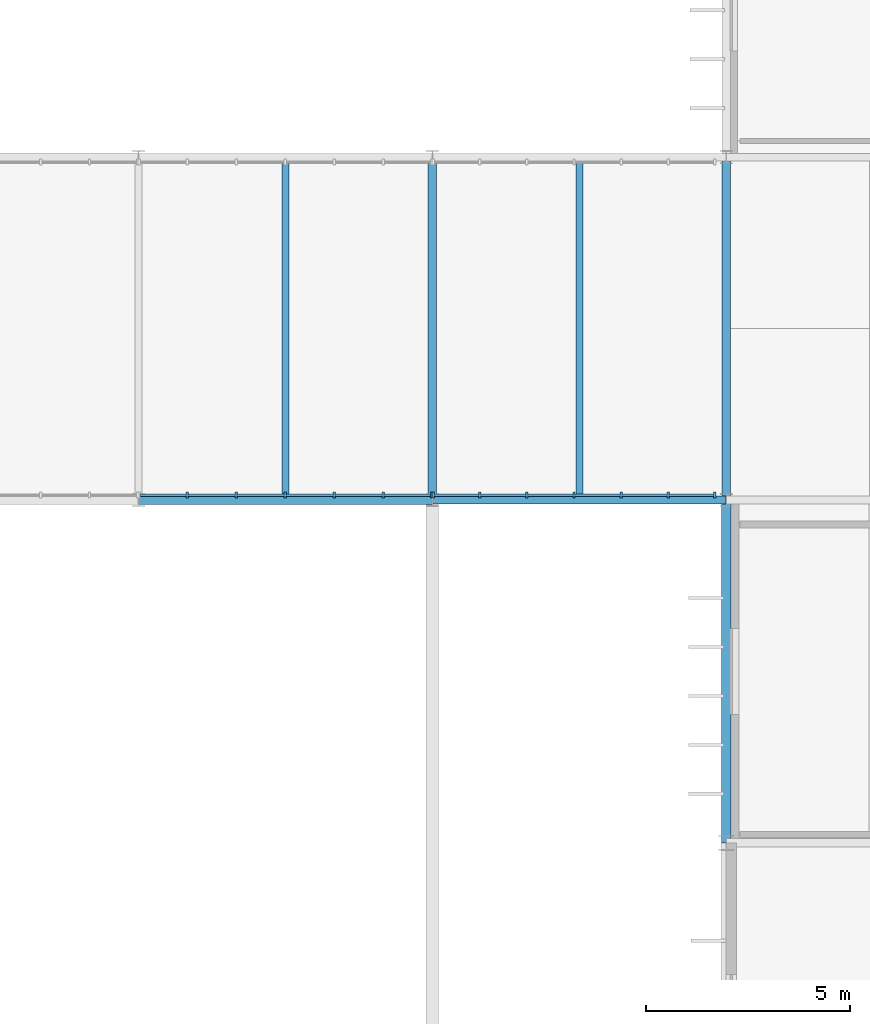
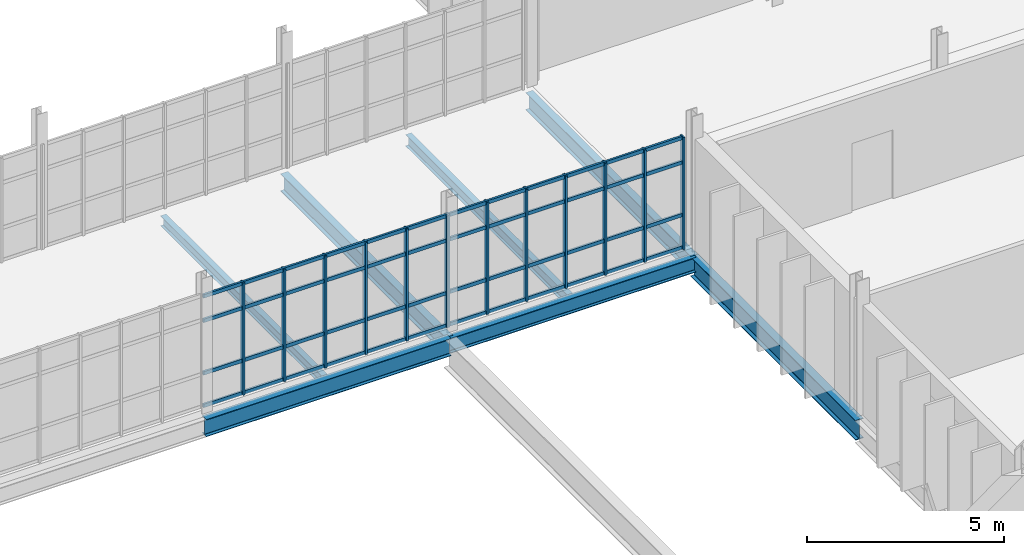
# One storey, part 39 of 119: 21 members, 7 beams, 2 elements without a shape of their own.
"""IFC4 building model written with IfcOpenShell, lengths in metres."""

from ifc_helpers import new_model, si_unit, direction, frame, origin, origin_2d, place, context, subcontext, project, spatial, rectangle, i_section, extrude, material, material_profile, profile_set, type_object, element, aggregate, save


model = new_model("IFC4")

# Units and contexts
model_context = context("Model", 3, precision=1e-05, world=origin(), true_north=direction((0.0, 1.0)))
body_context = subcontext(model_context, "Body", "Model", "MODEL_VIEW")
ifc_project = project(units=[si_unit("LENGTHUNIT", "METRE"), si_unit("AREAUNIT", "SQUARE_METRE"), si_unit("VOLUMEUNIT", "CUBIC_METRE"), si_unit("PLANEANGLEUNIT", "RADIAN"), si_unit("MASSUNIT", "GRAM", prefix="KILO")], contexts=[model_context])

# Site, building, storey
site_placement = place(None, origin())
site = spatial("IfcSite", under=ifc_project, at=site_placement, CompositionType="ELEMENT")
building_placement = place(site_placement, origin())
building = spatial("IfcBuilding", under=site, at=building_placement, Name="Qelthora Terrace Specialist Clinic", CompositionType="ELEMENT")
storey_placement = place(building_placement, frame((0.0, 0.0, 4.800048828125)))
storey = spatial("IfcBuildingStorey", under=building, at=storey_placement, Name="L01", CompositionType="ELEMENT", Elevation=4.800048828125)

# Beams
ifc_material_1 = material(Name="Steel S355", Category="steel")
ifc_material_profile_1 = material_profile(ifc_material_1, i_section(OverallWidth=0.193115234375, OverallDepth=0.466064453125, WebThickness=0.011474609375, FlangeThickness=0.01904296875, FilletRadius=0.012939453125, at=origin_2d()), Name="W460X97")
ifc_profile_set_1 = profile_set([ifc_material_profile_1], Name="Steel S355")
beam_type_1 = type_object("IfcBeamType", Name="BM-W460X97", PredefinedType="BEAM", material=ifc_profile_set_1)
beam_1_placement = place(storey_placement, frame((86.39990234375, 58.800048828125, -0.483154296875), z_axis=(1.0, 0.0, 0.0), x_axis=(0.0, 1.0, 0.0)))
element("IfcBeam", 1, at=beam_1_placement, inside=storey, type_object=beam_type_1, Name="Girder BMX-L01-0245", PredefinedType="BEAM", context=body_context, shape_type="SweptSolid", body=[
    extrude(i_section(OverallWidth=0.193115234375, OverallDepth=0.466064453125, WebThickness=0.011474609375, FlangeThickness=0.01904296875, FilletRadius=0.012939453125, at=origin_2d()), origin(), (0.0, 0.0, 1.0), 7.2001953125),
])
ifc_material_profile_2 = material_profile(ifc_material_1, i_section(OverallWidth=0.2099609375, OverallDepth=0.537109375, WebThickness=0.010986328125, FlangeThickness=0.017333984375, FilletRadius=0.013916015625, at=origin_2d()), Name="W530X101")
ifc_profile_set_2 = profile_set([ifc_material_profile_2], Name="Steel S355")
beam_type_2 = type_object("IfcBeamType", Name="BM-W530X101", PredefinedType="BEAM", material=ifc_profile_set_2)
beam_2_placement = place(storey_placement, frame((79.199951171875, 58.800048828125, -0.5185546875), z_axis=(1.0, 0.0, 0.0), x_axis=(0.0, 1.0, 0.0)))
element("IfcBeam", 2, at=beam_2_placement, inside=storey, type_object=beam_type_2, Name="Girder BMX-L01-0244", PredefinedType="BEAM", context=body_context, shape_type="SweptSolid", body=[
    extrude(i_section(OverallWidth=0.2099609375, OverallDepth=0.537109375, WebThickness=0.010986328125, FlangeThickness=0.017333984375, FilletRadius=0.013916015625, at=origin_2d()), origin(), (0.0, 0.0, 1.0), 7.199951171875),
])
ifc_material_profile_3 = material_profile(ifc_material_1, i_section(OverallWidth=0.2119140625, OverallDepth=0.5439453125, WebThickness=0.01318359375, FlangeThickness=0.021240234375, FilletRadius=0.013916015625, at=origin_2d()), Name="W530X123")
ifc_profile_set_3 = profile_set([ifc_material_profile_3], Name="Steel S355")
beam_type_3 = type_object("IfcBeamType", Name="BM-W530X123", PredefinedType="BEAM", material=ifc_profile_set_3)
for number, where, z_axis, x_axis, name in (
    (3, (86.39990234375, 58.800048828125, -0.52197265625), (0.0, 1.0, 0.0), (-1.0, 0.0, 0.0), "Girder BMY-L01-0445"),
    (4, (93.60009765625, 58.800048828125, -0.52197265625), (0.0, 1.0, 0.0), (-1.0, 0.0, 0.0), "Girder BMY-L01-0455"),
):
    element("IfcBeam", number, at=place(storey_placement, frame(where, z_axis=z_axis, x_axis=x_axis)), inside=storey, type_object=beam_type_3, Name=name, PredefinedType="BEAM", context=body_context, shape_type="SweptSolid", body=[
        extrude(i_section(OverallWidth=0.2119140625, OverallDepth=0.5439453125, WebThickness=0.01318359375, FlangeThickness=0.021240234375, FilletRadius=0.013916015625, at=origin_2d()), origin(), (0.0, 0.0, 1.0), 8.39990234375),
    ])
ifc_material_profile_4 = material_profile(ifc_material_1, i_section(OverallWidth=0.22998046875, OverallDepth=0.616943359375, WebThickness=0.01318359375, FlangeThickness=0.022216796875, FilletRadius=0.01611328125, at=origin_2d()), Name="W610X140")
ifc_profile_set_4 = profile_set([ifc_material_profile_4], Name="Steel S355")
beam_type_4 = type_object("IfcBeamType", Name="BM-W610X140", PredefinedType="BEAM", material=ifc_profile_set_4)
beam_3_placement = place(storey_placement, frame((93.60009765625, 50.39990234375, -0.55859375), z_axis=(0.0, 1.0, 0.0), x_axis=(-1.0, 0.0, 0.0)))
element("IfcBeam", 5, at=beam_3_placement, inside=storey, type_object=beam_type_4, Name="Girder BMY-L01-0454", PredefinedType="BEAM", context=body_context, shape_type="SweptSolid", body=[
    extrude(i_section(OverallWidth=0.22998046875, OverallDepth=0.616943359375, WebThickness=0.01318359375, FlangeThickness=0.022216796875, FilletRadius=0.01611328125, at=origin_2d()), origin(), (0.0, 0.0, 1.0), 8.400146484375),
])

# Curtain wall, members
ifc_material_2 = material(Name="Aluminium anodized bronze", Category="aluminium")
curtain_wall_type = type_object("IfcCurtainWallType", Name="CW-BRG-L01", PredefinedType="NOTDEFINED", material=ifc_material_2)
curtain_wall_1_placement = place(storey_placement, origin())
curtain_wall_1 = element("IfcCurtainWall", 6, at=curtain_wall_1_placement, inside=storey, type_object=curtain_wall_type, Name="Curtain wall CW-L01-232", PredefinedType="NOTDEFINED")
ifc_material_profile_5 = material_profile(ifc_material_2, rectangle(XDim=0.06005859375, YDim=0.14990234375, at=origin_2d()), Name="CWM60X150")
ifc_profile_set_5 = profile_set([ifc_material_profile_5], Name="Aluminium anodized bronze")
member_type_1 = type_object("IfcMemberType", Name="CWM-60X150", PredefinedType="MULLION", material=ifc_profile_set_5)
member_1_placement = place(storey_placement, frame((80.39990234375, 58.919921875, 0.0), z_axis=(0.0, 0.0, 1.0), x_axis=(1.0, 0.0, 0.0)))
member_1 = element("IfcMember", 7, at=member_1_placement, type_object=member_type_1, Name="CW-L01-232 mullion 2", PredefinedType="MULLION", context=body_context, shape_type="SweptSolid", body=[
    extrude(rectangle(XDim=0.06005859375, YDim=0.14990234375, at=origin_2d()), origin(), (0.0, 0.0, 1.0), 3.48193359375),
])
member_2_placement = place(storey_placement, frame((81.60009765625, 58.919921875, 0.0), z_axis=(0.0, 0.0, 1.0), x_axis=(1.0, 0.0, 0.0)))
member_2 = element("IfcMember", 8, at=member_2_placement, type_object=member_type_1, Name="CW-L01-232 mullion 3", PredefinedType="MULLION", context=body_context, shape_type="SweptSolid", body=[
    extrude(rectangle(XDim=0.06005859375, YDim=0.14990234375, at=origin_2d()), origin(), (0.0, 0.0, 1.0), 3.48193359375),
])
member_3_placement = place(storey_placement, frame((82.800048828125, 58.919921875, 0.0), z_axis=(0.0, 0.0, 1.0), x_axis=(1.0, 0.0, 0.0)))
member_3 = element("IfcMember", 9, at=member_3_placement, type_object=member_type_1, Name="CW-L01-232 mullion 4", PredefinedType="MULLION", context=body_context, shape_type="SweptSolid", body=[
    extrude(rectangle(XDim=0.06005859375, YDim=0.14990234375, at=origin_2d()), origin(), (0.0, 0.0, 1.0), 3.48193359375),
])
member_4_placement = place(storey_placement, frame((84.0, 58.919921875, 0.0), z_axis=(0.0, 0.0, 1.0), x_axis=(1.0, 0.0, 0.0)))
member_4 = element("IfcMember", 10, at=member_4_placement, type_object=member_type_1, Name="CW-L01-232 mullion 5", PredefinedType="MULLION", context=body_context, shape_type="SweptSolid", body=[
    extrude(rectangle(XDim=0.06005859375, YDim=0.14990234375, at=origin_2d()), origin(), (0.0, 0.0, 1.0), 3.48193359375),
])
member_5_placement = place(storey_placement, frame((85.199951171875, 58.919921875, 0.0), z_axis=(0.0, 0.0, 1.0), x_axis=(1.0, 0.0, 0.0)))
member_5 = element("IfcMember", 11, at=member_5_placement, type_object=member_type_1, Name="CW-L01-232 mullion 6", PredefinedType="MULLION", context=body_context, shape_type="SweptSolid", body=[
    extrude(rectangle(XDim=0.06005859375, YDim=0.14990234375, at=origin_2d()), origin(), (0.0, 0.0, 1.0), 3.48193359375),
])
member_6_placement = place(storey_placement, frame((86.3798828125, 58.919921875, 0.0), z_axis=(0.0, 0.0, 1.0), x_axis=(1.0, 0.0, 0.0)))
member_6 = element("IfcMember", 12, at=member_6_placement, type_object=member_type_1, Name="CW-L01-232 mullion 7", PredefinedType="MULLION", context=body_context, shape_type="SweptSolid", body=[
    extrude(rectangle(XDim=0.06005859375, YDim=0.14990234375, at=origin_2d()), origin(), (0.0, 0.0, 1.0), 3.48193359375),
])

curtain_wall_2_placement = place(storey_placement, origin())
curtain_wall_2 = element("IfcCurtainWall", 13, at=curtain_wall_2_placement, inside=storey, type_object=curtain_wall_type, Name="Curtain wall CW-L01-233", PredefinedType="NOTDEFINED")
member_7_placement = place(storey_placement, frame((86.419921875, 58.919921875, 0.0), z_axis=(0.0, 0.0, 1.0), x_axis=(1.0, 0.0, 0.0)))
member_7 = element("IfcMember", 14, at=member_7_placement, type_object=member_type_1, Name="CW-L01-233 mullion 1", PredefinedType="MULLION", context=body_context, shape_type="SweptSolid", body=[
    extrude(rectangle(XDim=0.06005859375, YDim=0.14990234375, at=origin_2d()), origin(), (0.0, 0.0, 1.0), 3.48193359375),
])
member_8_placement = place(storey_placement, frame((87.556640625, 58.919921875, 0.0), z_axis=(0.0, 0.0, 1.0), x_axis=(1.0, 0.0, 0.0)))
member_8 = element("IfcMember", 15, at=member_8_placement, type_object=member_type_1, Name="CW-L01-233 mullion 2", PredefinedType="MULLION", context=body_context, shape_type="SweptSolid", body=[
    extrude(rectangle(XDim=0.06005859375, YDim=0.14990234375, at=origin_2d()), origin(), (0.0, 0.0, 1.0), 3.48193359375),
])
member_9_placement = place(storey_placement, frame((88.71337890625, 58.919921875, 0.0), z_axis=(0.0, 0.0, 1.0), x_axis=(1.0, 0.0, 0.0)))
member_9 = element("IfcMember", 16, at=member_9_placement, type_object=member_type_1, Name="CW-L01-233 mullion 3", PredefinedType="MULLION", context=body_context, shape_type="SweptSolid", body=[
    extrude(rectangle(XDim=0.06005859375, YDim=0.14990234375, at=origin_2d()), origin(), (0.0, 0.0, 1.0), 3.48193359375),
])
member_10_placement = place(storey_placement, frame((89.8701171875, 58.919921875, 0.0), z_axis=(0.0, 0.0, 1.0), x_axis=(1.0, 0.0, 0.0)))
member_10 = element("IfcMember", 17, at=member_10_placement, type_object=member_type_1, Name="CW-L01-233 mullion 4", PredefinedType="MULLION", context=body_context, shape_type="SweptSolid", body=[
    extrude(rectangle(XDim=0.06005859375, YDim=0.14990234375, at=origin_2d()), origin(), (0.0, 0.0, 1.0), 3.48193359375),
])
member_11_placement = place(storey_placement, frame((91.026611328125, 58.919921875, 0.0), z_axis=(0.0, 0.0, 1.0), x_axis=(1.0, 0.0, 0.0)))
member_11 = element("IfcMember", 18, at=member_11_placement, type_object=member_type_1, Name="CW-L01-233 mullion 5", PredefinedType="MULLION", context=body_context, shape_type="SweptSolid", body=[
    extrude(rectangle(XDim=0.06005859375, YDim=0.14990234375, at=origin_2d()), origin(), (0.0, 0.0, 1.0), 3.48193359375),
])
member_12_placement = place(storey_placement, frame((92.183349609375, 58.919921875, 0.0), z_axis=(0.0, 0.0, 1.0), x_axis=(1.0, 0.0, 0.0)))
member_12 = element("IfcMember", 19, at=member_12_placement, type_object=member_type_1, Name="CW-L01-233 mullion 6", PredefinedType="MULLION", context=body_context, shape_type="SweptSolid", body=[
    extrude(rectangle(XDim=0.06005859375, YDim=0.14990234375, at=origin_2d()), origin(), (0.0, 0.0, 1.0), 3.48193359375),
])
member_13_placement = place(storey_placement, frame((93.320068359375, 58.919921875, 0.0), z_axis=(0.0, 0.0, 1.0), x_axis=(1.0, 0.0, 0.0)))
member_13 = element("IfcMember", 20, at=member_13_placement, type_object=member_type_1, Name="CW-L01-233 mullion 7", PredefinedType="MULLION", context=body_context, shape_type="SweptSolid", body=[
    extrude(rectangle(XDim=0.06005859375, YDim=0.14990234375, at=origin_2d()), origin(), (0.0, 0.0, 1.0), 3.48193359375),
])

# Member
ifc_material_profile_6 = material_profile(ifc_material_2, rectangle(XDim=0.06005859375, YDim=0.110107421875, at=origin_2d()), Name="CWT60X110")
ifc_profile_set_6 = profile_set([ifc_material_profile_6], Name="Aluminium anodized bronze")
member_type_2 = type_object("IfcMemberType", Name="CWT-60X110", PredefinedType="USERDEFINED", material=ifc_profile_set_6)
member_14_placement = place(storey_placement, frame((79.239990234375, 58.919921875, 0.0400390625), z_axis=(1.0, 0.0, 0.0), x_axis=(0.0, 1.0, 0.0)))
member_14 = element("IfcMember", 21, at=member_14_placement, type_object=member_type_2, Name="CW-L01-232 transom 1", ObjectType="TRANSOM", PredefinedType="USERDEFINED", context=body_context, shape_type="SweptSolid", body=[
    extrude(rectangle(XDim=0.06005859375, YDim=0.110107421875, at=origin_2d()), origin(), (0.0, 0.0, 1.0), 7.1201171875),
])

member_15_placement = place(storey_placement, frame((79.239990234375, 58.919921875, 1.050048828125), z_axis=(1.0, 0.0, 0.0), x_axis=(0.0, 1.0, 0.0)))
member_15 = element("IfcMember", 22, at=member_15_placement, type_object=member_type_2, Name="CW-L01-232 transom 2", ObjectType="TRANSOM", PredefinedType="USERDEFINED", context=body_context, shape_type="SweptSolid", body=[
    extrude(rectangle(XDim=0.06005859375, YDim=0.110107421875, at=origin_2d()), origin(), (0.0, 0.0, 1.0), 7.1201171875),
])

member_16_placement = place(storey_placement, frame((79.239990234375, 58.919921875, 2.681884765625), z_axis=(1.0, 0.0, 0.0), x_axis=(0.0, 1.0, 0.0)))
member_16 = element("IfcMember", 23, at=member_16_placement, type_object=member_type_2, Name="CW-L01-232 transom 3", ObjectType="TRANSOM", PredefinedType="USERDEFINED", context=body_context, shape_type="SweptSolid", body=[
    extrude(rectangle(XDim=0.06005859375, YDim=0.110107421875, at=origin_2d()), origin(), (0.0, 0.0, 1.0), 7.1201171875),
])

member_17_placement = place(storey_placement, frame((79.239990234375, 58.919921875, 3.44189453125), z_axis=(1.0, 0.0, 0.0), x_axis=(0.0, 1.0, 0.0)))
member_17 = element("IfcMember", 24, at=member_17_placement, type_object=member_type_2, Name="CW-L01-232 transom 4", ObjectType="TRANSOM", PredefinedType="USERDEFINED", context=body_context, shape_type="SweptSolid", body=[
    extrude(rectangle(XDim=0.06005859375, YDim=0.110107421875, at=origin_2d()), origin(), (0.0, 0.0, 1.0), 7.1201171875),
])

aggregate(curtain_wall_1, [member_1, member_2, member_3, member_4, member_5, member_6, member_14, member_15, member_16, member_17])

member_18_placement = place(storey_placement, frame((86.43994140625, 58.919921875, 0.0400390625), z_axis=(1.0, 0.0, 0.0), x_axis=(0.0, 1.0, 0.0)))
member_18 = element("IfcMember", 25, at=member_18_placement, type_object=member_type_2, Name="CW-L01-233 transom 1", ObjectType="TRANSOM", PredefinedType="USERDEFINED", context=body_context, shape_type="SweptSolid", body=[
    extrude(rectangle(XDim=0.06005859375, YDim=0.110107421875, at=origin_2d()), origin(), (0.0, 0.0, 1.0), 6.860107421875),
])

member_19_placement = place(storey_placement, frame((86.43994140625, 58.919921875, 1.050048828125), z_axis=(1.0, 0.0, 0.0), x_axis=(0.0, 1.0, 0.0)))
member_19 = element("IfcMember", 26, at=member_19_placement, type_object=member_type_2, Name="CW-L01-233 transom 2", ObjectType="TRANSOM", PredefinedType="USERDEFINED", context=body_context, shape_type="SweptSolid", body=[
    extrude(rectangle(XDim=0.06005859375, YDim=0.110107421875, at=origin_2d()), origin(), (0.0, 0.0, 1.0), 6.860107421875),
])

member_20_placement = place(storey_placement, frame((86.43994140625, 58.919921875, 2.681884765625), z_axis=(1.0, 0.0, 0.0), x_axis=(0.0, 1.0, 0.0)))
member_20 = element("IfcMember", 27, at=member_20_placement, type_object=member_type_2, Name="CW-L01-233 transom 3", ObjectType="TRANSOM", PredefinedType="USERDEFINED", context=body_context, shape_type="SweptSolid", body=[
    extrude(rectangle(XDim=0.06005859375, YDim=0.110107421875, at=origin_2d()), origin(), (0.0, 0.0, 1.0), 6.860107421875),
])

member_21_placement = place(storey_placement, frame((86.43994140625, 58.919921875, 3.44189453125), z_axis=(1.0, 0.0, 0.0), x_axis=(0.0, 1.0, 0.0)))
member_21 = element("IfcMember", 28, at=member_21_placement, type_object=member_type_2, Name="CW-L01-233 transom 4", ObjectType="TRANSOM", PredefinedType="USERDEFINED", context=body_context, shape_type="SweptSolid", body=[
    extrude(rectangle(XDim=0.06005859375, YDim=0.110107421875, at=origin_2d()), origin(), (0.0, 0.0, 1.0), 6.860107421875),
])

aggregate(curtain_wall_2, [member_7, member_8, member_9, member_10, member_11, member_12, member_13, member_18, member_19, member_20, member_21])

# Beams
ifc_material_profile_7 = material_profile(ifc_material_1, i_section(OverallWidth=0.1669921875, OverallDepth=0.31689453125, WebThickness=0.007568359375, FlangeThickness=0.01318359375, FilletRadius=0.010009765625, at=origin_2d()), Name="W310X52")
ifc_profile_set_7 = profile_set([ifc_material_profile_7], Name="Steel S355")
beam_type_5 = type_object("IfcBeamType", Name="JST-W310X52", PredefinedType="JOIST", material=ifc_profile_set_7)
beam_4_placement = place(storey_placement, frame((82.800048828125, 58.905029296875, -0.408447265625), z_axis=(0.0, 1.0, 0.0), x_axis=(-1.0, 0.0, 0.0)))
element("IfcBeam", 29, at=beam_4_placement, inside=storey, type_object=beam_type_5, Name="Composite floor joist JST-L01-0099", PredefinedType="JOIST", context=body_context, shape_type="SweptSolid", body=[
    extrude(i_section(OverallWidth=0.1669921875, OverallDepth=0.31689453125, WebThickness=0.007568359375, FlangeThickness=0.01318359375, FilletRadius=0.010009765625, at=origin_2d()), origin(), (0.0, 0.0, 1.0), 8.205078125),
])
ifc_material_profile_8 = material_profile(ifc_material_1, i_section(OverallWidth=0.172119140625, OverallDepth=0.35791015625, WebThickness=0.0078125, FlangeThickness=0.01318359375, FilletRadius=0.010986328125, at=origin_2d()), Name="W360X57")
ifc_profile_set_8 = profile_set([ifc_material_profile_8], Name="Steel S355")
beam_type_6 = type_object("IfcBeamType", Name="JST-W360X57", PredefinedType="JOIST", material=ifc_profile_set_8)
beam_5_placement = place(storey_placement, frame((90.0, 58.896484375, -0.428955078125), z_axis=(0.0, 1.0, 0.0), x_axis=(-1.0, 0.0, 0.0)))
element("IfcBeam", 30, at=beam_5_placement, inside=storey, type_object=beam_type_6, Name="Composite floor joist JST-L01-0104", PredefinedType="JOIST", context=body_context, shape_type="SweptSolid", body=[
    extrude(i_section(OverallWidth=0.172119140625, OverallDepth=0.35791015625, WebThickness=0.0078125, FlangeThickness=0.01318359375, FilletRadius=0.010986328125, at=origin_2d()), origin(), (0.0, 0.0, 1.0), 8.214111328125),
])

save(model, "model.ifc")
